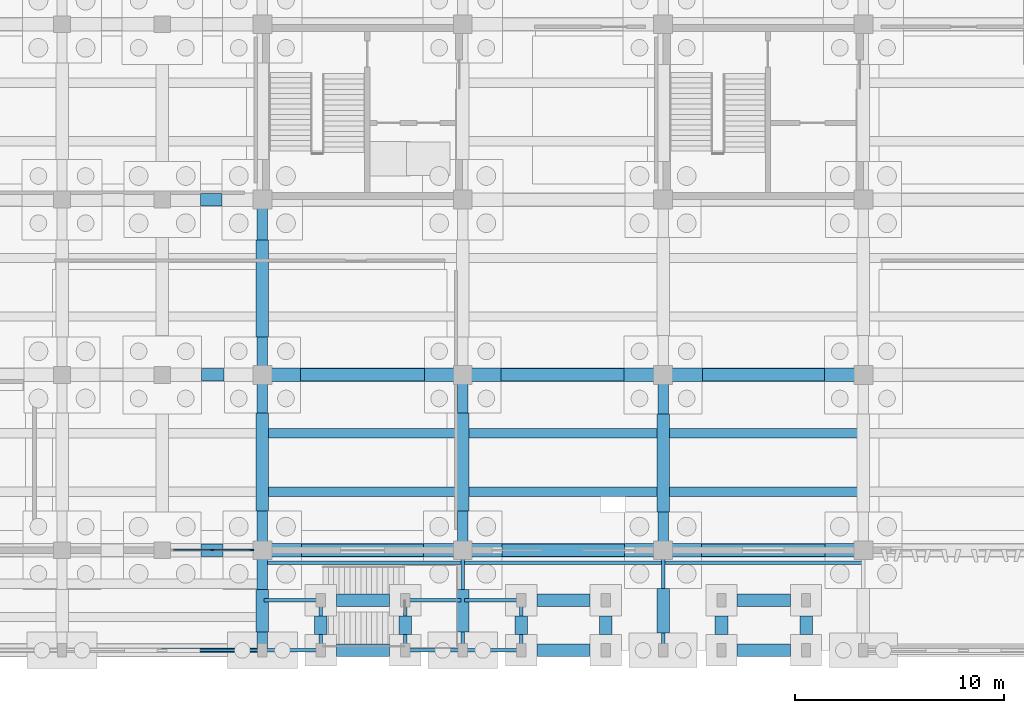
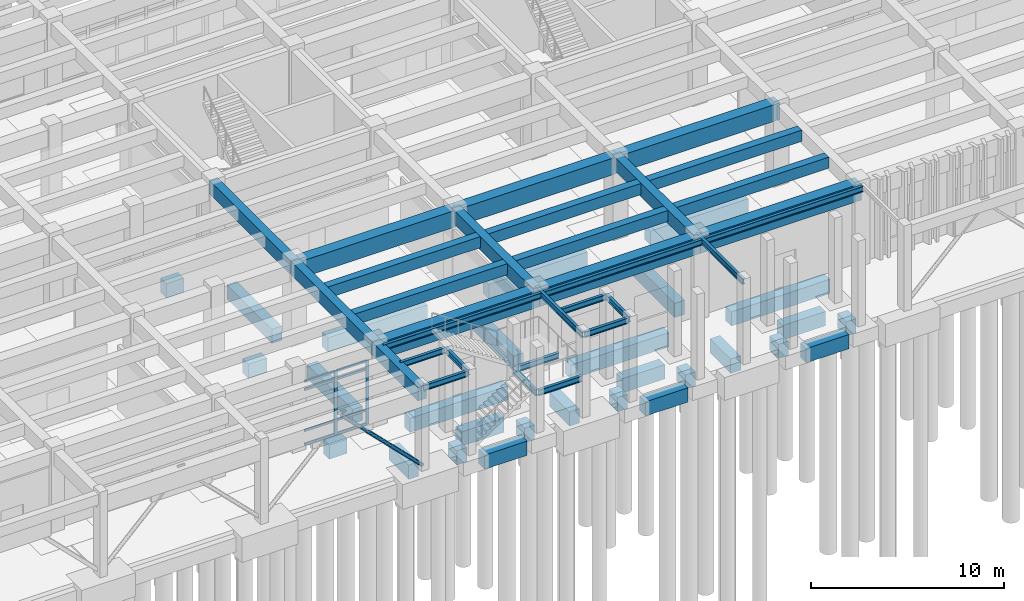
# One storey, part 22 of 102: 59 beams, 11 members, 1 element without a shape of its own.
"""IFC4 building model written with IfcOpenShell, lengths in metres."""

from ifc_helpers import new_model, si_unit, direction, frame, origin, origin_2d, place, context, subcontext, project, spatial, rectangle, hollow_circle, i_section, extrude, material, layer, layer_set, material_profile, profile_set, type_object, element, aggregate, save


model = new_model("IFC4")

# Units and contexts
model_context = context("Model", 3, precision=1e-05, world=origin(), true_north=direction((0.0, 1.0)))
body_context = subcontext(model_context, "Body", "Model", "MODEL_VIEW")
ifc_project = project(units=[si_unit("LENGTHUNIT", "METRE"), si_unit("AREAUNIT", "SQUARE_METRE"), si_unit("VOLUMEUNIT", "CUBIC_METRE"), si_unit("PLANEANGLEUNIT", "RADIAN"), si_unit("MASSUNIT", "GRAM", prefix="KILO")], contexts=[model_context])

# Site, building, storey
site_placement = place(None, origin())
site = spatial("IfcSite", under=ifc_project, at=site_placement, CompositionType="ELEMENT")
building_placement = place(site_placement, origin())
building = spatial("IfcBuilding", under=site, at=building_placement, Name="Kolvemor Railside Polytechnic", CompositionType="ELEMENT")
storey_placement = place(building_placement, origin())
storey = spatial("IfcBuildingStorey", under=building, at=storey_placement, Name="L00", CompositionType="ELEMENT", Elevation=0.0)

# Beams
ifc_material_1 = material(Name="Concrete C40/50", Category="concrete")
ifc_material_profile_1 = material_profile(ifc_material_1, rectangle(XDim=0.64990234375, YDim=1.050048828125, at=origin_2d()), Name="RC650x1050")
ifc_profile_set_1 = profile_set([ifc_material_profile_1], Name="Concrete C40/50")
beam_type_1 = type_object("IfcBeamType", Name="BM-RC-GIRD2", PredefinedType="BEAM", material=ifc_profile_set_1)
beam_1_placement = place(storey_placement, frame((67.199951171875, 4.800048828125, 4.5849609375), z_axis=(1.0, 0.0, 0.0), x_axis=(0.0, 1.0, 0.0)))
element("IfcBeam", 1, at=beam_1_placement, inside=storey, type_object=beam_type_1, Name="Primary Girder L01-GX 0193", PredefinedType="BEAM", context=body_context, shape_type="SweptSolid", body=[
    extrude(rectangle(XDim=0.64990234375, YDim=1.050048828125, at=origin_2d()), origin(), (0.0, 0.0, 1.0), 9.60009765625),
])
beam_2_placement = place(storey_placement, frame((76.800048828125, 4.800048828125, 4.5849609375), z_axis=(1.0, 0.0, 0.0), x_axis=(0.0, 1.0, 0.0)))
element("IfcBeam", 2, at=beam_2_placement, inside=storey, type_object=beam_type_1, Name="Primary Girder L01-GX 0194", PredefinedType="BEAM", context=body_context, shape_type="SweptSolid", body=[
    extrude(rectangle(XDim=0.64990234375, YDim=1.050048828125, at=origin_2d()), origin(), (0.0, 0.0, 1.0), 9.599853515625),
])
for number, where, z_axis, x_axis, name in (
    (3, (86.39990234375, 4.800048828125, 4.5849609375), (1.0, 0.0, 0.0), (0.0, 1.0, 0.0), "Primary Girder L01-GX 0195"),
    (4, (67.199951171875, 13.199951171875, 4.5849609375), (1.0, 0.0, 0.0), (0.0, 1.0, 0.0), "Primary Girder L01-GX 0202"),
):
    element("IfcBeam", number, at=place(storey_placement, frame(where, z_axis=z_axis, x_axis=x_axis)), inside=storey, type_object=beam_type_1, Name=name, PredefinedType="BEAM", context=body_context, shape_type="SweptSolid", body=[
        extrude(rectangle(XDim=0.64990234375, YDim=1.050048828125, at=origin_2d()), origin(), (0.0, 0.0, 1.0), 9.60009765625),
    ])
beam_3_placement = place(storey_placement, frame((76.800048828125, 13.199951171875, 4.5849609375), z_axis=(1.0, 0.0, 0.0), x_axis=(0.0, 1.0, 0.0)))
element("IfcBeam", 5, at=beam_3_placement, inside=storey, type_object=beam_type_1, Name="Primary Girder L01-GX 0203", PredefinedType="BEAM", context=body_context, shape_type="SweptSolid", body=[
    extrude(rectangle(XDim=0.64990234375, YDim=1.050048828125, at=origin_2d()), origin(), (0.0, 0.0, 1.0), 9.599853515625),
])
beam_4_placement = place(storey_placement, frame((86.39990234375, 13.199951171875, 4.5849609375), z_axis=(1.0, 0.0, 0.0), x_axis=(0.0, 1.0, 0.0)))
element("IfcBeam", 6, at=beam_4_placement, inside=storey, type_object=beam_type_1, Name="Primary Girder L01-GX 0204", PredefinedType="BEAM", context=body_context, shape_type="SweptSolid", body=[
    extrude(rectangle(XDim=0.64990234375, YDim=1.050048828125, at=origin_2d()), origin(), (0.0, 0.0, 1.0), 9.60009765625),
])
ifc_material_2 = material(Name="Concrete C40/50", Category="concrete")
ifc_material_profile_2 = material_profile(ifc_material_2, rectangle(XDim=0.5, YDim=0.85009765625, at=origin_2d()), Name="RC500x850")
ifc_profile_set_2 = profile_set([ifc_material_profile_2], Name="Concrete C40/50")
beam_type_2 = type_object("IfcBeamType", Name="BM-RC-GIRD3", PredefinedType="BEAM", material=ifc_profile_set_2)
beam_5_placement = place(storey_placement, frame((67.199951171875, 4.800048828125, 4.68505859375), z_axis=(0.0, 1.0, 0.0), x_axis=(-1.0, 0.0, 0.0)))
element("IfcBeam", 7, at=beam_5_placement, inside=storey, type_object=beam_type_2, Name="Primary Girder L01-GY 0240", PredefinedType="BEAM", context=body_context, shape_type="SweptSolid", body=[
    extrude(rectangle(XDim=0.5, YDim=0.85009765625, at=origin_2d()), origin(), (0.0, 0.0, 1.0), 8.39990234375),
])
beam_6_placement = place(storey_placement, frame((67.199951171875, 13.199951171875, 4.68505859375), z_axis=(0.0, 1.0, 0.0), x_axis=(-1.0, 0.0, 0.0)))
element("IfcBeam", 8, at=beam_6_placement, inside=storey, type_object=beam_type_2, Name="Primary Girder L01-GY 0241", PredefinedType="BEAM", context=body_context, shape_type="SweptSolid", body=[
    extrude(rectangle(XDim=0.5, YDim=0.85009765625, at=origin_2d()), origin(), (0.0, 0.0, 1.0), 8.400146484375),
])
for number, where, z_axis, x_axis, name in (
    (9, (76.800048828125, 4.800048828125, 4.68505859375), (0.0, 1.0, 0.0), (-1.0, 0.0, 0.0), "Primary Girder L01-GY 0244"),
    (10, (86.39990234375, 4.800048828125, 4.68505859375), (0.0, 1.0, 0.0), (-1.0, 0.0, 0.0), "Primary Girder L01-GY 0248"),
):
    element("IfcBeam", number, at=place(storey_placement, frame(where, z_axis=z_axis, x_axis=x_axis)), inside=storey, type_object=beam_type_2, Name=name, PredefinedType="BEAM", context=body_context, shape_type="SweptSolid", body=[
        extrude(rectangle(XDim=0.5, YDim=0.85009765625, at=origin_2d()), origin(), (0.0, 0.0, 1.0), 8.39990234375),
    ])
beam_7_placement = place(storey_placement, frame((67.199951171875, 0.0, 4.68505859375), z_axis=(0.0, 1.0, 0.0), x_axis=(-1.0, 0.0, 0.0)))
element("IfcBeam", 11, at=beam_7_placement, inside=storey, type_object=beam_type_2, Name="Primary Girder L01-GY 1830", PredefinedType="BEAM", context=body_context, shape_type="SweptSolid", body=[
    extrude(rectangle(XDim=0.5, YDim=0.85009765625, at=origin_2d()), origin(), (0.0, 0.0, 1.0), 4.800048828125),
])
ifc_material_3 = material(Name="Concrete C40/50", Category="concrete")
ifc_material_profile_3 = material_profile(ifc_material_3, rectangle(XDim=0.449951171875, YDim=0.699951171875, at=origin_2d()), Name="RC450x700")
ifc_profile_set_3 = profile_set([ifc_material_profile_3], Name="Concrete C40/50")
beam_type_3 = type_object("IfcBeamType", Name="BM-RC-SEC2", PredefinedType="JOIST", material=ifc_profile_set_3)
for number, where, z_axis, x_axis, name in (
    (12, (67.449951171875, 7.60009765625, 4.760009765625), (1.0, 0.0, 0.0), (0.0, 1.0, 0.0), "Floor Joist L01-J0288"),
    (13, (67.449951171875, 10.39990234375, 4.760009765625), (1.0, 0.0, 0.0), (0.0, 1.0, 0.0), "Floor Joist L01-J0289"),
):
    element("IfcBeam", number, at=place(storey_placement, frame(where, z_axis=z_axis, x_axis=x_axis)), inside=storey, type_object=beam_type_3, Name=name, PredefinedType="JOIST", context=body_context, shape_type="SweptSolid", body=[
        extrude(rectangle(XDim=0.449951171875, YDim=0.699951171875, at=origin_2d()), origin(), (0.0, 0.0, 1.0), 9.10009765625),
    ])
for number, where, z_axis, x_axis, name in (
    (14, (77.050048828125, 7.60009765625, 4.760009765625), (1.0, 0.0, 0.0), (0.0, 1.0, 0.0), "Floor Joist L01-J0294"),
    (15, (77.050048828125, 10.39990234375, 4.760009765625), (1.0, 0.0, 0.0), (0.0, 1.0, 0.0), "Floor Joist L01-J0295"),
):
    element("IfcBeam", number, at=place(storey_placement, frame(where, z_axis=z_axis, x_axis=x_axis)), inside=storey, type_object=beam_type_3, Name=name, PredefinedType="JOIST", context=body_context, shape_type="SweptSolid", body=[
        extrude(rectangle(XDim=0.449951171875, YDim=0.699951171875, at=origin_2d()), origin(), (0.0, 0.0, 1.0), 9.099853515625),
    ])
for number, where, z_axis, x_axis, name in (
    (16, (86.64990234375, 7.60009765625, 4.760009765625), (1.0, 0.0, 0.0), (0.0, 1.0, 0.0), "Floor Joist L01-J0302"),
    (17, (86.64990234375, 10.39990234375, 4.760009765625), (1.0, 0.0, 0.0), (0.0, 1.0, 0.0), "Floor Joist L01-J0303"),
):
    element("IfcBeam", number, at=place(storey_placement, frame(where, z_axis=z_axis, x_axis=x_axis)), inside=storey, type_object=beam_type_3, Name=name, PredefinedType="JOIST", context=body_context, shape_type="SweptSolid", body=[
        extrude(rectangle(XDim=0.449951171875, YDim=0.699951171875, at=origin_2d()), origin(), (0.0, 0.0, 1.0), 9.10009765625),
    ])
ifc_material_4 = material(Name="Concrete C40/50", Category="concrete")
ifc_material_profile_4 = material_profile(ifc_material_4, rectangle(XDim=0.60009765625, YDim=0.89990234375, at=origin_2d()), Name="RC600x900")
ifc_profile_set_4 = profile_set([ifc_material_profile_4], Name="Concrete C40/50")
beam_type_4 = type_object("IfcBeamType", Name="BM-RC-TIE", PredefinedType="BEAM", material=ifc_profile_set_4)
beam_8_placement = place(storey_placement, frame((70.751953125, 0.0, -0.75), z_axis=(1.0, 0.0, 0.0), x_axis=(0.0, 1.0, 0.0)))
element("IfcBeam", 18, at=beam_8_placement, inside=storey, type_object=beam_type_4, Name="Ground Tie Beam GTB-X008", PredefinedType="BEAM", context=body_context, shape_type="SweptSolid", body=[
    extrude(rectangle(XDim=0.60009765625, YDim=0.89990234375, at=origin_2d()), origin(), (0.0, 0.0, 1.0), 2.546142578125),
])
beam_9_placement = place(storey_placement, frame((80.35205078125, 0.0, -0.75), z_axis=(1.0, 0.0, 0.0), x_axis=(0.0, 1.0, 0.0)))
element("IfcBeam", 19, at=beam_9_placement, inside=storey, type_object=beam_type_4, Name="Ground Tie Beam GTB-X009", PredefinedType="BEAM", context=body_context, shape_type="SweptSolid", body=[
    extrude(rectangle(XDim=0.60009765625, YDim=0.89990234375, at=origin_2d()), origin(), (0.0, 0.0, 1.0), 2.5458984375),
])
for number, where, z_axis, x_axis, name in (
    (20, (89.951904296875, 0.0, -0.75), (1.0, 0.0, 0.0), (0.0, 1.0, 0.0), "Ground Tie Beam GTB-X010"),
    (21, (70.751953125, 2.39990234375, -0.75), (1.0, 0.0, 0.0), (0.0, 1.0, 0.0), "Ground Tie Beam GTB-X020"),
):
    element("IfcBeam", number, at=place(storey_placement, frame(where, z_axis=z_axis, x_axis=x_axis)), inside=storey, type_object=beam_type_4, Name=name, PredefinedType="BEAM", context=body_context, shape_type="SweptSolid", body=[
        extrude(rectangle(XDim=0.60009765625, YDim=0.89990234375, at=origin_2d()), origin(), (0.0, 0.0, 1.0), 2.546142578125),
    ])
beam_10_placement = place(storey_placement, frame((80.35205078125, 2.39990234375, -0.75), z_axis=(1.0, 0.0, 0.0), x_axis=(0.0, 1.0, 0.0)))
element("IfcBeam", 22, at=beam_10_placement, inside=storey, type_object=beam_type_4, Name="Ground Tie Beam GTB-X021", PredefinedType="BEAM", context=body_context, shape_type="SweptSolid", body=[
    extrude(rectangle(XDim=0.60009765625, YDim=0.89990234375, at=origin_2d()), origin(), (0.0, 0.0, 1.0), 2.5458984375),
])
beam_11_placement = place(storey_placement, frame((89.951904296875, 2.39990234375, -0.75), z_axis=(1.0, 0.0, 0.0), x_axis=(0.0, 1.0, 0.0)))
element("IfcBeam", 23, at=beam_11_placement, inside=storey, type_object=beam_type_4, Name="Ground Tie Beam GTB-X022", PredefinedType="BEAM", context=body_context, shape_type="SweptSolid", body=[
    extrude(rectangle(XDim=0.60009765625, YDim=0.89990234375, at=origin_2d()), origin(), (0.0, 0.0, 1.0), 2.546142578125),
])
beam_12_placement = place(storey_placement, frame((64.251953125, 4.800048828125, -0.75), z_axis=(1.0, 0.0, 0.0), x_axis=(0.0, 1.0, 0.0)))
element("IfcBeam", 24, at=beam_12_placement, inside=storey, type_object=beam_type_4, Name="Ground Tie Beam GTB-X030", PredefinedType="BEAM", context=body_context, shape_type="SweptSolid", body=[
    extrude(rectangle(XDim=0.60009765625, YDim=0.89990234375, at=origin_2d()), origin(), (0.0, 0.0, 1.0), 1.071044921875),
])
beam_13_placement = place(storey_placement, frame((69.076904296875, 4.800048828125, -0.75), z_axis=(1.0, 0.0, 0.0), x_axis=(0.0, 1.0, 0.0)))
element("IfcBeam", 25, at=beam_13_placement, inside=storey, type_object=beam_type_4, Name="Ground Tie Beam GTB-X031", PredefinedType="BEAM", context=body_context, shape_type="SweptSolid", body=[
    extrude(rectangle(XDim=0.60009765625, YDim=0.89990234375, at=origin_2d()), origin(), (0.0, 0.0, 1.0), 5.84619140625),
])
beam_14_placement = place(storey_placement, frame((78.677001953125, 4.800048828125, -0.75), z_axis=(1.0, 0.0, 0.0), x_axis=(0.0, 1.0, 0.0)))
element("IfcBeam", 26, at=beam_14_placement, inside=storey, type_object=beam_type_4, Name="Ground Tie Beam GTB-X032", PredefinedType="BEAM", context=body_context, shape_type="SweptSolid", body=[
    extrude(rectangle(XDim=0.60009765625, YDim=0.89990234375, at=origin_2d()), origin(), (0.0, 0.0, 1.0), 5.87109375),
])
beam_15_placement = place(storey_placement, frame((88.251953125, 4.800048828125, -0.75), z_axis=(1.0, 0.0, 0.0), x_axis=(0.0, 1.0, 0.0)))
element("IfcBeam", 27, at=beam_15_placement, inside=storey, type_object=beam_type_4, Name="Ground Tie Beam GTB-X033", PredefinedType="BEAM", context=body_context, shape_type="SweptSolid", body=[
    extrude(rectangle(XDim=0.60009765625, YDim=0.89990234375, at=origin_2d()), origin(), (0.0, 0.0, 1.0), 5.89599609375),
])
beam_16_placement = place(storey_placement, frame((64.277099609375, 13.199951171875, -0.75), z_axis=(1.0, 0.0, 0.0), x_axis=(0.0, 1.0, 0.0)))
element("IfcBeam", 28, at=beam_16_placement, inside=storey, type_object=beam_type_4, Name="Ground Tie Beam GTB-X051", PredefinedType="BEAM", context=body_context, shape_type="SweptSolid", body=[
    extrude(rectangle(XDim=0.60009765625, YDim=0.89990234375, at=origin_2d()), origin(), (0.0, 0.0, 1.0), 1.095947265625),
])
beam_17_placement = place(storey_placement, frame((69.027099609375, 13.199951171875, -0.75), z_axis=(1.0, 0.0, 0.0), x_axis=(0.0, 1.0, 0.0)))
element("IfcBeam", 29, at=beam_17_placement, inside=storey, type_object=beam_type_4, Name="Ground Tie Beam GTB-X052", PredefinedType="BEAM", context=body_context, shape_type="SweptSolid", body=[
    extrude(rectangle(XDim=0.60009765625, YDim=0.89990234375, at=origin_2d()), origin(), (0.0, 0.0, 1.0), 5.94580078125),
])
beam_18_placement = place(storey_placement, frame((78.626953125, 13.199951171875, -0.75), z_axis=(1.0, 0.0, 0.0), x_axis=(0.0, 1.0, 0.0)))
element("IfcBeam", 30, at=beam_18_placement, inside=storey, type_object=beam_type_4, Name="Ground Tie Beam GTB-X053", PredefinedType="BEAM", context=body_context, shape_type="SweptSolid", body=[
    extrude(rectangle(XDim=0.60009765625, YDim=0.89990234375, at=origin_2d()), origin(), (0.0, 0.0, 1.0), 5.89599609375),
])
beam_19_placement = place(storey_placement, frame((88.277099609375, 13.199951171875, -0.75), z_axis=(1.0, 0.0, 0.0), x_axis=(0.0, 1.0, 0.0)))
element("IfcBeam", 31, at=beam_19_placement, inside=storey, type_object=beam_type_4, Name="Ground Tie Beam GTB-X054", PredefinedType="BEAM", context=body_context, shape_type="SweptSolid", body=[
    extrude(rectangle(XDim=0.60009765625, YDim=0.89990234375, at=origin_2d()), origin(), (0.0, 0.0, 1.0), 5.845947265625),
])
beam_20_placement = place(storey_placement, frame((64.22705078125, 21.60009765625, -0.75), z_axis=(1.0, 0.0, 0.0), x_axis=(0.0, 1.0, 0.0)))
element("IfcBeam", 32, at=beam_20_placement, inside=storey, type_object=beam_type_4, Name="Ground Tie Beam GTB-X072", PredefinedType="BEAM", context=body_context, shape_type="SweptSolid", body=[
    extrude(rectangle(XDim=0.60009765625, YDim=0.89990234375, at=origin_2d()), origin(), (0.0, 0.0, 1.0), 1.0458984375),
])
beam_21_placement = place(storey_placement, frame((67.199951171875, 0.876953125, -0.75), z_axis=(0.0, 1.0, 0.0), x_axis=(-1.0, 0.0, 0.0)))
element("IfcBeam", 33, at=beam_21_placement, inside=storey, type_object=beam_type_4, Name="Ground Tie Beam GTB-Y312", PredefinedType="BEAM", context=body_context, shape_type="SweptSolid", body=[
    extrude(rectangle(XDim=0.60009765625, YDim=0.89990234375, at=origin_2d()), origin(), (0.0, 0.0, 1.0), 2.046142578125),
])
beam_22_placement = place(storey_placement, frame((67.199951171875, 6.677001953125, -0.75), z_axis=(0.0, 1.0, 0.0), x_axis=(-1.0, 0.0, 0.0)))
element("IfcBeam", 34, at=beam_22_placement, inside=storey, type_object=beam_type_4, Name="Ground Tie Beam GTB-Y313", PredefinedType="BEAM", context=body_context, shape_type="SweptSolid", body=[
    extrude(rectangle(XDim=0.60009765625, YDim=0.89990234375, at=origin_2d()), origin(), (0.0, 0.0, 1.0), 4.696044921875),
])
beam_23_placement = place(storey_placement, frame((67.199951171875, 15.027099609375, -0.75), z_axis=(0.0, 1.0, 0.0), x_axis=(-1.0, 0.0, 0.0)))
element("IfcBeam", 35, at=beam_23_placement, inside=storey, type_object=beam_type_4, Name="Ground Tie Beam GTB-Y314", PredefinedType="BEAM", context=body_context, shape_type="SweptSolid", body=[
    extrude(rectangle(XDim=0.60009765625, YDim=0.89990234375, at=origin_2d()), origin(), (0.0, 0.0, 1.0), 4.64599609375),
])
for number, where, z_axis, x_axis, name in (
    (36, (70.0, 0.751953125, -0.75), (0.0, 1.0, 0.0), (-1.0, 0.0, 0.0), "Ground Tie Beam GTB-Y320"),
    (37, (74.050048828125, 0.751953125, -0.75), (0.0, 1.0, 0.0), (-1.0, 0.0, 0.0), "Ground Tie Beam GTB-Y321"),
):
    element("IfcBeam", number, at=place(storey_placement, frame(where, z_axis=z_axis, x_axis=x_axis)), inside=storey, type_object=beam_type_4, Name=name, PredefinedType="BEAM", context=body_context, shape_type="SweptSolid", body=[
        extrude(rectangle(XDim=0.60009765625, YDim=0.89990234375, at=origin_2d()), origin(), (0.0, 0.0, 1.0), 0.89599609375),
    ])
beam_24_placement = place(storey_placement, frame((76.800048828125, 0.876953125, -0.75), z_axis=(0.0, 1.0, 0.0), x_axis=(-1.0, 0.0, 0.0)))
element("IfcBeam", 38, at=beam_24_placement, inside=storey, type_object=beam_type_4, Name="Ground Tie Beam GTB-Y322", PredefinedType="BEAM", context=body_context, shape_type="SweptSolid", body=[
    extrude(rectangle(XDim=0.60009765625, YDim=0.89990234375, at=origin_2d()), origin(), (0.0, 0.0, 1.0), 2.046142578125),
])
beam_25_placement = place(storey_placement, frame((76.800048828125, 6.677001953125, -0.75), z_axis=(0.0, 1.0, 0.0), x_axis=(-1.0, 0.0, 0.0)))
element("IfcBeam", 39, at=beam_25_placement, inside=storey, type_object=beam_type_4, Name="Ground Tie Beam GTB-Y323", PredefinedType="BEAM", context=body_context, shape_type="SweptSolid", body=[
    extrude(rectangle(XDim=0.60009765625, YDim=0.89990234375, at=origin_2d()), origin(), (0.0, 0.0, 1.0), 4.696044921875),
])
for number, where, z_axis, x_axis, name in (
    (40, (79.60009765625, 0.751953125, -0.75), (0.0, 1.0, 0.0), (-1.0, 0.0, 0.0), "Ground Tie Beam GTB-Y330"),
    (41, (83.64990234375, 0.751953125, -0.75), (0.0, 1.0, 0.0), (-1.0, 0.0, 0.0), "Ground Tie Beam GTB-Y331"),
):
    element("IfcBeam", number, at=place(storey_placement, frame(where, z_axis=z_axis, x_axis=x_axis)), inside=storey, type_object=beam_type_4, Name=name, PredefinedType="BEAM", context=body_context, shape_type="SweptSolid", body=[
        extrude(rectangle(XDim=0.60009765625, YDim=0.89990234375, at=origin_2d()), origin(), (0.0, 0.0, 1.0), 0.89599609375),
    ])
beam_26_placement = place(storey_placement, frame((86.39990234375, 0.826904296875, -0.75), z_axis=(0.0, 1.0, 0.0), x_axis=(-1.0, 0.0, 0.0)))
element("IfcBeam", 42, at=beam_26_placement, inside=storey, type_object=beam_type_4, Name="Ground Tie Beam GTB-Y332", PredefinedType="BEAM", context=body_context, shape_type="SweptSolid", body=[
    extrude(rectangle(XDim=0.60009765625, YDim=0.89990234375, at=origin_2d()), origin(), (0.0, 0.0, 1.0), 2.14599609375),
])
beam_27_placement = place(storey_placement, frame((86.39990234375, 6.626953125, -0.75), z_axis=(0.0, 1.0, 0.0), x_axis=(-1.0, 0.0, 0.0)))
element("IfcBeam", 43, at=beam_27_placement, inside=storey, type_object=beam_type_4, Name="Ground Tie Beam GTB-Y333", PredefinedType="BEAM", context=body_context, shape_type="SweptSolid", body=[
    extrude(rectangle(XDim=0.60009765625, YDim=0.89990234375, at=origin_2d()), origin(), (0.0, 0.0, 1.0), 4.696044921875),
])
for number, where, z_axis, x_axis, name in (
    (44, (89.199951171875, 0.751953125, -0.75), (0.0, 1.0, 0.0), (-1.0, 0.0, 0.0), "Ground Tie Beam GTB-Y340"),
    (45, (93.25, 0.751953125, -0.75), (0.0, 1.0, 0.0), (-1.0, 0.0, 0.0), "Ground Tie Beam GTB-Y341"),
):
    element("IfcBeam", number, at=place(storey_placement, frame(where, z_axis=z_axis, x_axis=x_axis)), inside=storey, type_object=beam_type_4, Name=name, PredefinedType="BEAM", context=body_context, shape_type="SweptSolid", body=[
        extrude(rectangle(XDim=0.60009765625, YDim=0.89990234375, at=origin_2d()), origin(), (0.0, 0.0, 1.0), 0.89599609375),
    ])
ifc_material_5 = material(Name="Steel S355", Category="steel")
ifc_material_profile_5 = material_profile(ifc_material_5, i_section(OverallWidth=0.172119140625, OverallDepth=0.35791015625, WebThickness=0.0078125, FlangeThickness=0.01318359375, FilletRadius=0.010986328125, at=origin_2d()), Name="W360x57")
ifc_profile_set_5 = profile_set([ifc_material_profile_5], Name="Steel S355")
beam_type_5 = type_object("IfcBeamType", Name="BM-ST-COLL", PredefinedType="BEAM", material=ifc_profile_set_5)
beam_28_placement = place(storey_placement, frame((70.0, 0.0, 5.0009765625), z_axis=(0.0, 1.0, 0.0), x_axis=(-1.0, 0.0, 0.0)))
element("IfcBeam", 46, at=beam_28_placement, inside=storey, type_object=beam_type_5, Name="Zigzag Stair Top Beam L01 2025", PredefinedType="BEAM", context=body_context, shape_type="SweptSolid", body=[
    extrude(i_section(OverallWidth=0.172119140625, OverallDepth=0.35791015625, WebThickness=0.0078125, FlangeThickness=0.01318359375, FilletRadius=0.010986328125, at=origin_2d()), origin(), (0.0, 0.0, 1.0), 2.39990234375),
])
for number, where, z_axis, x_axis, name in (
    (47, (67.27490234375, 0.0, 5.0009765625), (1.0, 0.0, 0.0), (0.0, 1.0, 0.0), "Zigzag Stair Top Tie L01 2026"),
    (48, (67.27490234375, 2.39990234375, 5.0009765625), (1.0, 0.0, 0.0), (0.0, 1.0, 0.0), "Zigzag Stair Top Tie L01 2027"),
):
    element("IfcBeam", number, at=place(storey_placement, frame(where, z_axis=z_axis, x_axis=x_axis)), inside=storey, type_object=beam_type_5, Name=name, PredefinedType="BEAM", context=body_context, shape_type="SweptSolid", body=[
        extrude(i_section(OverallWidth=0.172119140625, OverallDepth=0.35791015625, WebThickness=0.0078125, FlangeThickness=0.01318359375, FilletRadius=0.010986328125, at=origin_2d()), origin(), (0.0, 0.0, 1.0), 2.650146484375),
    ])
beam_29_placement = place(storey_placement, frame((76.800048828125, 0.0, 5.0009765625), z_axis=(0.0, 1.0, 0.0), x_axis=(-1.0, 0.0, 0.0)))
element("IfcBeam", 49, at=beam_29_placement, inside=storey, type_object=beam_type_5, Name="Zigzag Stair Departure Beam L01 2028", PredefinedType="BEAM", context=body_context, shape_type="SweptSolid", body=[
    extrude(i_section(OverallWidth=0.172119140625, OverallDepth=0.35791015625, WebThickness=0.0078125, FlangeThickness=0.01318359375, FilletRadius=0.010986328125, at=origin_2d()), origin(), (0.0, 0.0, 1.0), 4.800048828125),
])
beam_30_placement = place(storey_placement, frame((79.60009765625, 0.0, 5.0009765625), z_axis=(0.0, 1.0, 0.0), x_axis=(-1.0, 0.0, 0.0)))
element("IfcBeam", 50, at=beam_30_placement, inside=storey, type_object=beam_type_5, Name="Zigzag Stair Departure Beam L01 2029", PredefinedType="BEAM", context=body_context, shape_type="SweptSolid", body=[
    extrude(i_section(OverallWidth=0.172119140625, OverallDepth=0.35791015625, WebThickness=0.0078125, FlangeThickness=0.01318359375, FilletRadius=0.010986328125, at=origin_2d()), origin(), (0.0, 0.0, 1.0), 2.39990234375),
])
for number, where, z_axis, x_axis, name in (
    (51, (76.875, 0.0, 5.0009765625), (1.0, 0.0, 0.0), (0.0, 1.0, 0.0), "Zigzag Stair Departure Tie L01 2030"),
    (52, (76.875, 2.39990234375, 5.0009765625), (1.0, 0.0, 0.0), (0.0, 1.0, 0.0), "Zigzag Stair Departure Tie L01 2031"),
):
    element("IfcBeam", number, at=place(storey_placement, frame(where, z_axis=z_axis, x_axis=x_axis)), inside=storey, type_object=beam_type_5, Name=name, PredefinedType="BEAM", context=body_context, shape_type="SweptSolid", body=[
        extrude(i_section(OverallWidth=0.172119140625, OverallDepth=0.35791015625, WebThickness=0.0078125, FlangeThickness=0.01318359375, FilletRadius=0.010986328125, at=origin_2d()), origin(), (0.0, 0.0, 1.0), 2.64990234375),
    ])
beam_31_placement = place(storey_placement, frame((67.280029296875, 4.199951171875, 5.0009765625), z_axis=(1.0, 0.0, 0.0), x_axis=(0.0, 1.0, 0.0)))
element("IfcBeam", 53, at=beam_31_placement, inside=storey, type_object=beam_type_5, Name="Zigzag Rear Gallery Beam L01 2032", PredefinedType="BEAM", context=body_context, shape_type="SweptSolid", body=[
    extrude(i_section(OverallWidth=0.172119140625, OverallDepth=0.35791015625, WebThickness=0.0078125, FlangeThickness=0.01318359375, FilletRadius=0.010986328125, at=origin_2d()), origin(), (0.0, 0.0, 1.0), 9.43994140625),
])
beam_32_placement = place(storey_placement, frame((76.8798828125, 4.199951171875, 5.0009765625), z_axis=(1.0, 0.0, 0.0), x_axis=(0.0, 1.0, 0.0)))
element("IfcBeam", 54, at=beam_32_placement, inside=storey, type_object=beam_type_5, Name="Zigzag Rear Gallery Beam L01 2033", PredefinedType="BEAM", context=body_context, shape_type="SweptSolid", body=[
    extrude(i_section(OverallWidth=0.172119140625, OverallDepth=0.35791015625, WebThickness=0.0078125, FlangeThickness=0.01318359375, FilletRadius=0.010986328125, at=origin_2d()), origin(), (0.0, 0.0, 1.0), 9.440185546875),
])
beam_33_placement = place(storey_placement, frame((86.47998046875, 4.199951171875, 5.0009765625), z_axis=(1.0, 0.0, 0.0), x_axis=(0.0, 1.0, 0.0)))
element("IfcBeam", 55, at=beam_33_placement, inside=storey, type_object=beam_type_5, Name="Zigzag Rear Gallery Beam L01 2034", PredefinedType="BEAM", context=body_context, shape_type="SweptSolid", body=[
    extrude(i_section(OverallWidth=0.172119140625, OverallDepth=0.35791015625, WebThickness=0.0078125, FlangeThickness=0.01318359375, FilletRadius=0.010986328125, at=origin_2d()), origin(), (0.0, 0.0, 1.0), 9.43994140625),
])
beam_34_placement = place(storey_placement, frame((86.39990234375, 0.0, 5.0009765625), z_axis=(0.0, 1.0, 0.0), x_axis=(-1.0, 0.0, 0.0)))
element("IfcBeam", 56, at=beam_34_placement, inside=storey, type_object=beam_type_5, Name="Zigzag Rear Cross Beam L01 2035", PredefinedType="BEAM", context=body_context, shape_type="SweptSolid", body=[
    extrude(i_section(OverallWidth=0.172119140625, OverallDepth=0.35791015625, WebThickness=0.0078125, FlangeThickness=0.01318359375, FilletRadius=0.010986328125, at=origin_2d()), origin(), (0.0, 0.0, 1.0), 4.800048828125),
])
beam_35_placement = place(storey_placement, frame((74.050048828125, 0.0, 2.301025390625), z_axis=(0.0, 1.0, 0.0), x_axis=(-1.0, 0.0, 0.0)))
element("IfcBeam", 57, at=beam_35_placement, inside=storey, type_object=beam_type_5, Name="Zigzag Stair Mid Beam L00 2036", PredefinedType="BEAM", context=body_context, shape_type="SweptSolid", body=[
    extrude(i_section(OverallWidth=0.172119140625, OverallDepth=0.35791015625, WebThickness=0.0078125, FlangeThickness=0.01318359375, FilletRadius=0.010986328125, at=origin_2d()), origin(), (0.0, 0.0, 1.0), 2.39990234375),
])
for number, where, z_axis, x_axis, name in (
    (58, (74.125, 0.0, 2.301025390625), (1.0, 0.0, 0.0), (0.0, 1.0, 0.0), "Zigzag Stair Mid Tie L00 2037"),
    (59, (74.125, 2.39990234375, 2.301025390625), (1.0, 0.0, 0.0), (0.0, 1.0, 0.0), "Zigzag Stair Mid Tie L00 2038"),
):
    element("IfcBeam", number, at=place(storey_placement, frame(where, z_axis=z_axis, x_axis=x_axis)), inside=storey, type_object=beam_type_5, Name=name, PredefinedType="BEAM", context=body_context, shape_type="SweptSolid", body=[
        extrude(i_section(OverallWidth=0.172119140625, OverallDepth=0.35791015625, WebThickness=0.0078125, FlangeThickness=0.01318359375, FilletRadius=0.010986328125, at=origin_2d()), origin(), (0.0, 0.0, 1.0), 2.60009765625),
    ])

# Curtain wall, members
ifc_material_6 = material(Name="Anodised marine aluminium and laminated low-E glass", Category="aluminium")
ifc_layer = layer(ifc_material_6, 0.179931640625, Name="CW-UNIT-STD")
ifc_layer_set = layer_set([ifc_layer], Name="Anodised marine aluminium and laminated low-E glass")
curtain_wall_type = type_object("IfcCurtainWallType", Name="CW-UNIT-STD", PredefinedType="USERDEFINED", material=ifc_layer_set)
curtain_wall_placement = place(storey_placement, origin())
curtain_wall = element("IfcCurtainWall", 60, at=curtain_wall_placement, inside=storey, type_object=curtain_wall_type, Name="Curtain Wall L00-094", ObjectType="UNITISED CURTAIN WALL", PredefinedType="USERDEFINED")
ifc_material_7 = material(Name="Anodised marine aluminium 6063-T6", Category="aluminium")
ifc_material_profile_6 = material_profile(ifc_material_7, rectangle(XDim=0.074951171875, YDim=0.179931640625, at=origin_2d()), Name="CW-MUL-75x180")
ifc_profile_set_6 = profile_set([ifc_material_profile_6], Name="Anodised marine aluminium 6063-T6")
member_type_1 = type_object("IfcMemberType", Name="CWM-75x180", PredefinedType="MULLION", material=ifc_profile_set_6)
member_1_placement = place(storey_placement, frame((64.800048828125, 4.800048828125, 0.0), z_axis=(0.0, 0.0, 1.0), x_axis=(0.0, 1.0, 0.0)))
member_1 = element("IfcMember", 61, at=member_1_placement, type_object=member_type_1, Name="CW-STD mullion 2", PredefinedType="MULLION", context=body_context, shape_type="SweptSolid", body=[
    extrude(rectangle(XDim=0.074951171875, YDim=0.179931640625, at=origin_2d()), origin(), (0.0, 0.0, 1.0), 4.0400390625),
])
member_2_placement = place(storey_placement, frame((66.6923828125, 4.800048828125, 0.0), z_axis=(0.0, 0.0, 1.0), x_axis=(0.0, 1.0, 0.0)))
member_2 = element("IfcMember", 62, at=member_2_placement, type_object=member_type_1, Name="CW-STD mullion 3", PredefinedType="MULLION", context=body_context, shape_type="SweptSolid", body=[
    extrude(rectangle(XDim=0.074951171875, YDim=0.179931640625, at=origin_2d()), origin(), (0.0, 0.0, 1.0), 4.0400390625),
])
ifc_material_8 = material(Name="Anodised marine aluminium 6063-T6", Category="aluminium")
ifc_material_profile_7 = material_profile(ifc_material_8, rectangle(XDim=0.074951171875, YDim=0.139892578125, at=origin_2d()), Name="CW-TRN-75x140")
ifc_profile_set_7 = profile_set([ifc_material_profile_7], Name="Anodised marine aluminium 6063-T6")
member_type_2 = type_object("IfcMemberType", Name="CWT-75x140", PredefinedType="USERDEFINED", material=ifc_profile_set_7)
member_3_placement = place(storey_placement, frame((62.945068359375, 4.800048828125, 0.03759765625), z_axis=(1.0, 0.0, 0.0), x_axis=(0.0, 1.0, 0.0)))
member_3 = element("IfcMember", 63, at=member_3_placement, type_object=member_type_2, Name="CW-STD transom 1.1", ObjectType="TRANSOM", PredefinedType="USERDEFINED", context=body_context, shape_type="SweptSolid", body=[
    extrude(rectangle(XDim=0.074951171875, YDim=0.139892578125, at=origin_2d()), origin(), (0.0, 0.0, 1.0), 1.8173828125),
])
member_4_placement = place(storey_placement, frame((62.945068359375, 4.800048828125, 0.89990234375), z_axis=(1.0, 0.0, 0.0), x_axis=(0.0, 1.0, 0.0)))
member_4 = element("IfcMember", 64, at=member_4_placement, type_object=member_type_2, Name="CW-STD transom 1.2", ObjectType="TRANSOM", PredefinedType="USERDEFINED", context=body_context, shape_type="SweptSolid", body=[
    extrude(rectangle(XDim=0.074951171875, YDim=0.139892578125, at=origin_2d()), origin(), (0.0, 0.0, 1.0), 1.8173828125),
])
member_5_placement = place(storey_placement, frame((62.945068359375, 4.800048828125, 3.489990234375), z_axis=(1.0, 0.0, 0.0), x_axis=(0.0, 1.0, 0.0)))
member_5 = element("IfcMember", 65, at=member_5_placement, type_object=member_type_2, Name="CW-STD transom 1.3", ObjectType="TRANSOM", PredefinedType="USERDEFINED", context=body_context, shape_type="SweptSolid", body=[
    extrude(rectangle(XDim=0.074951171875, YDim=0.139892578125, at=origin_2d()), origin(), (0.0, 0.0, 1.0), 1.8173828125),
])
member_6_placement = place(storey_placement, frame((62.945068359375, 4.800048828125, 4.00244140625), z_axis=(1.0, 0.0, 0.0), x_axis=(0.0, 1.0, 0.0)))
member_6 = element("IfcMember", 66, at=member_6_placement, type_object=member_type_2, Name="CW-STD transom 1.4", ObjectType="TRANSOM", PredefinedType="USERDEFINED", context=body_context, shape_type="SweptSolid", body=[
    extrude(rectangle(XDim=0.074951171875, YDim=0.139892578125, at=origin_2d()), origin(), (0.0, 0.0, 1.0), 1.8173828125),
])
member_7_placement = place(storey_placement, frame((64.83740234375, 4.800048828125, 0.03759765625), z_axis=(1.0, 0.0, 0.0), x_axis=(0.0, 1.0, 0.0)))
member_7 = element("IfcMember", 67, at=member_7_placement, type_object=member_type_2, Name="CW-STD transom 2.1", ObjectType="TRANSOM", PredefinedType="USERDEFINED", context=body_context, shape_type="SweptSolid", body=[
    extrude(rectangle(XDim=0.074951171875, YDim=0.139892578125, at=origin_2d()), origin(), (0.0, 0.0, 1.0), 1.817626953125),
])
member_8_placement = place(storey_placement, frame((64.83740234375, 4.800048828125, 0.89990234375), z_axis=(1.0, 0.0, 0.0), x_axis=(0.0, 1.0, 0.0)))
member_8 = element("IfcMember", 68, at=member_8_placement, type_object=member_type_2, Name="CW-STD transom 2.2", ObjectType="TRANSOM", PredefinedType="USERDEFINED", context=body_context, shape_type="SweptSolid", body=[
    extrude(rectangle(XDim=0.074951171875, YDim=0.139892578125, at=origin_2d()), origin(), (0.0, 0.0, 1.0), 1.817626953125),
])
member_9_placement = place(storey_placement, frame((64.83740234375, 4.800048828125, 3.489990234375), z_axis=(1.0, 0.0, 0.0), x_axis=(0.0, 1.0, 0.0)))
member_9 = element("IfcMember", 69, at=member_9_placement, type_object=member_type_2, Name="CW-STD transom 2.3", ObjectType="TRANSOM", PredefinedType="USERDEFINED", context=body_context, shape_type="SweptSolid", body=[
    extrude(rectangle(XDim=0.074951171875, YDim=0.139892578125, at=origin_2d()), origin(), (0.0, 0.0, 1.0), 1.817626953125),
])
member_10_placement = place(storey_placement, frame((64.83740234375, 4.800048828125, 4.00244140625), z_axis=(1.0, 0.0, 0.0), x_axis=(0.0, 1.0, 0.0)))
member_10 = element("IfcMember", 70, at=member_10_placement, type_object=member_type_2, Name="CW-STD transom 2.4", ObjectType="TRANSOM", PredefinedType="USERDEFINED", context=body_context, shape_type="SweptSolid", body=[
    extrude(rectangle(XDim=0.074951171875, YDim=0.139892578125, at=origin_2d()), origin(), (0.0, 0.0, 1.0), 1.817626953125),
])
aggregate(curtain_wall, [member_1, member_2, member_3, member_4, member_5, member_6, member_7, member_8, member_9, member_10])

# Member
ifc_material_9 = material(Name="Steel S355", Category="steel")
ifc_material_profile_8 = material_profile(ifc_material_9, hollow_circle(Radius=0.109619140625, WallThickness=0.010009765625, at=origin_2d()), Name="CHS219.1x10")
ifc_profile_set_8 = profile_set([ifc_material_profile_8], Name="Steel S355")
member_type_3 = type_object("IfcMemberType", Name="MEM-BR-CHS1", PredefinedType="BRACE", material=ifc_profile_set_8)
member_11_placement = place(storey_placement, frame((67.199951171875, 0.0, 0.14990234375), z_axis=(-0.707106781187, 0.0, 0.707106781187), x_axis=(0.0, -1.0, 0.0)))
element("IfcMember", 71, at=member_11_placement, inside=storey, type_object=member_type_3, Name="Wind Chevron Brace BR-09B", PredefinedType="BRACE", context=body_context, shape_type="SweptSolid", body=[
    extrude(hollow_circle(Radius=0.109619140625, WallThickness=0.010009765625, at=origin_2d()), origin(), (0.0, 0.0, 1.0), 6.788330078125),
])

save(model, "model.ifc")
